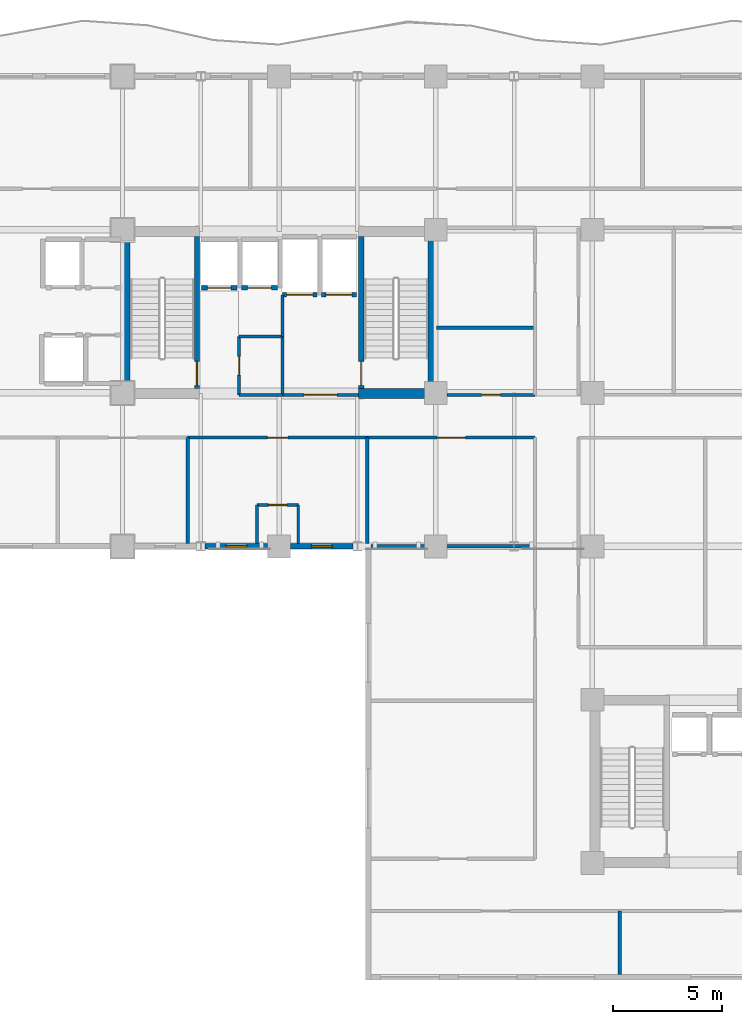
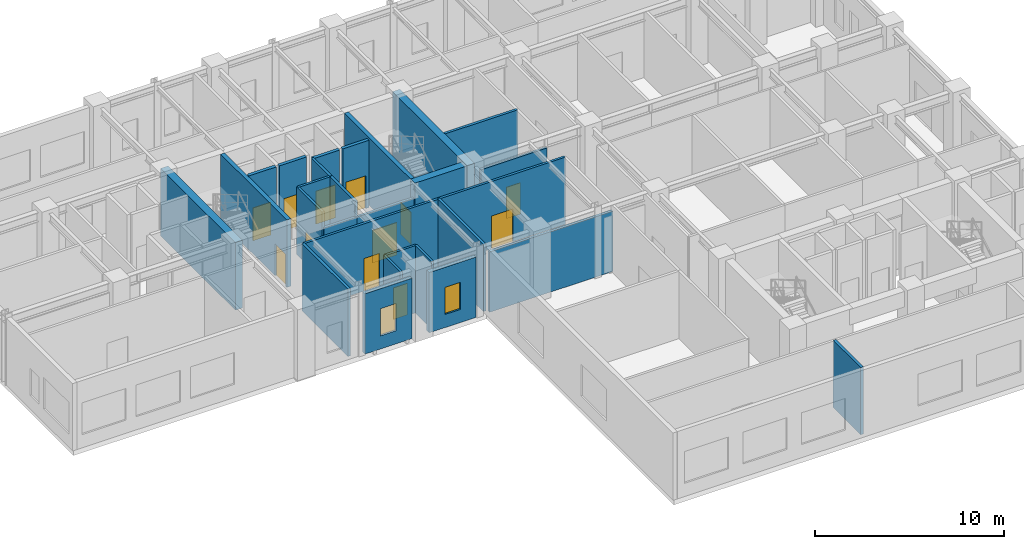
# One storey, part 5 of 14: 28 walls, 12 doors, 2 windows, 14 openings.
"""IFC4 building model written with IfcOpenShell, lengths in metres."""

from ifc_helpers import new_model, si_unit, direction, frame, frame_2d, origin, place, context, subcontext, project, spatial, rectangle, extrude, material, layer, layer_set, type_object, element, fill, save


model = new_model("IFC4")

# Units and contexts
model_context = context("Model", 3, precision=1e-05, world=origin(), true_north=direction((0.0, 1.0)))
body_context = subcontext(model_context, "Body", "Model", "MODEL_VIEW")
ifc_project = project(units=[si_unit("LENGTHUNIT", "METRE"), si_unit("AREAUNIT", "SQUARE_METRE"), si_unit("VOLUMEUNIT", "CUBIC_METRE"), si_unit("PLANEANGLEUNIT", "RADIAN"), si_unit("MASSUNIT", "GRAM", prefix="KILO")], contexts=[model_context])

# Site, building, storey
site_placement = place(None, origin())
site = spatial("IfcSite", under=ifc_project, at=site_placement, CompositionType="ELEMENT")
building_placement = place(site_placement, origin())
building = spatial("IfcBuilding", under=site, at=building_placement, Name="Kaliganga Portal Commons", CompositionType="ELEMENT")
storey_placement = place(building_placement, frame((0.0, 0.0, 135.60009765625)))
storey = spatial("IfcBuildingStorey", under=building, at=storey_placement, Name="L34", CompositionType="ELEMENT", Elevation=135.60009765625)

# Walls
ifc_material_1 = material(Name="Concrete C60/75", Category="concrete")
ifc_layer_1 = layer(ifc_material_1, 0.449951171875)
ifc_layer_set_1 = layer_set([ifc_layer_1], Name="Concrete C60/75")
wall_type_1 = type_object("IfcWallType", Name="WL-CORE-450", PredefinedType="SHEAR", material=ifc_layer_set_1)
for number, where, z_axis, x_axis, name in (
    (1, (14.52490234375, 28.39990234375, 0.0), (0.0, 0.0, 1.0), (0.0, 1.0, 0.0), "Core A West Shear Wall L34"),
    (2, (28.675048828125, 28.39990234375, 0.0), (0.0, 0.0, 1.0), (0.0, 1.0, 0.0), "Core A East Shear Wall L34"),
):
    element("IfcWall", number, at=place(storey_placement, frame(where, z_axis=z_axis, x_axis=x_axis)), inside=storey, type_object=wall_type_1, Name=name, PredefinedType="SHEAR", context=body_context, shape_type="SweptSolid", body=[
        extrude(rectangle(XDim=7.900146484375, YDim=0.449951171875, at=frame_2d((3.9501953125, 0.0))), origin(), (0.0, 0.0, 1.0), 4.35986328125),
    ])
wall_1_placement = place(storey_placement, frame((25.25, 28.625, 0.0), z_axis=(0.0, 0.0, 1.0), x_axis=(1.0, 0.0, 0.0)))
element("IfcWall", 3, at=wall_1_placement, inside=storey, type_object=wall_type_1, Name="Core A S-East Shear Wall L34", PredefinedType="SHEAR", context=body_context, shape_type="SweptSolid", body=[
    extrude(rectangle(XDim=3.199951171875, YDim=0.449951171875, at=frame_2d((1.60009765625, 0.0))), origin(), (0.0, 0.0, 1.0), 4.35986328125),
])

# Wall, opening, window
ifc_material_2 = material(Name="Insulated Aluminium-Clad Spandrel Assembly", Category="aluminium")
ifc_layer_2 = layer(ifc_material_2, 0.260009765625)
ifc_layer_set_2 = layer_set([ifc_layer_2], Name="Insulated Aluminium-Clad Spandrel Assembly")
wall_type_2 = type_object("IfcWallType", Name="WL-EXT-SPAND-260", PredefinedType="STANDARD", material=ifc_layer_set_2)
wall_2_placement = place(storey_placement, frame((21.073974609375, 21.60009765625, 0.0), z_axis=(0.0, 0.0, 1.0), x_axis=(-1.0, 0.0, 0.0)))
wall_2 = element("IfcWall", 4, at=wall_2_placement, inside=storey, type_object=wall_type_2, Name="Exterior Envelope Wall L34 P1-E04-S3", PredefinedType="STANDARD", context=body_context, shape_type="SweptSolid", body=[
    extrude(rectangle(XDim=2.87109375, YDim=0.260009765625, at=frame_2d((1.435546875, 0.0))), origin(), (0.0, 0.0, 1.0), 3.889892578125),
])
opening_1_placement = place(wall_2_placement, frame((0.96044921875, 0.0, 0.85009765625)))
opening_1 = element("IfcOpeningElement", 5, at=opening_1_placement, cuts=wall_2, Name="Opening W-04", PredefinedType="OPENING", context=body_context, shape_type="SweptSolid", body=[
    extrude(rectangle(XDim=0.949951171875, YDim=1.75, at=frame_2d((0.47509765625, 0.875))), frame((0.0, 0.14013671875, 0.0), z_axis=(0.0, -1.0, 0.0), x_axis=(1.0, 0.0, 0.0)), (0.0, 0.0, 1.0), 0.280029296875),
])
ifc_material_3 = material(Name="Thermally Broken Aluminium and Low-E Double Glazing", Category="aluminium")
window_type = type_object("IfcWindowType", Name="WIN-NARROW-950", PartitioningType="SINGLE_PANEL", PredefinedType="WINDOW", material=ifc_material_3)
window_1_placement = place(opening_1_placement, origin())
window_1 = element("IfcWindow", 6, at=window_1_placement, inside=storey, type_object=window_type, Name="Facade Window L34-P1E04S3-00", OverallHeight=1.75, OverallWidth=0.949951171875, PartitioningType="SINGLE_PANEL", PredefinedType="WINDOW", context=body_context, shape_type="SweptSolid", body=[
    extrude(rectangle(XDim=0.949951171875, YDim=1.75, at=frame_2d((0.47509765625, 0.875))), frame((0.0, 0.030029296875, 0.0), z_axis=(0.0, -1.0, 0.0), x_axis=(1.0, 0.0, 0.0)), (0.0, 0.0, 1.0), 0.06005859375),
])
fill(opening_1, window_1)

wall_3_placement = place(storey_placement, frame((24.9970703125, 21.60009765625, 0.0), z_axis=(0.0, 0.0, 1.0), x_axis=(-1.0, 0.0, 0.0)))
wall_3 = element("IfcWall", 7, at=wall_3_placement, inside=storey, type_object=wall_type_2, Name="Exterior Envelope Wall L34 P1-E04-S4", PredefinedType="STANDARD", context=body_context, shape_type="SweptSolid", body=[
    extrude(rectangle(XDim=2.87109375, YDim=0.260009765625, at=frame_2d((1.435546875, 0.0))), origin(), (0.0, 0.0, 1.0), 3.889892578125),
])
opening_2_placement = place(wall_3_placement, frame((0.96044921875, 0.0, 0.85009765625)))
opening_2 = element("IfcOpeningElement", 8, at=opening_2_placement, cuts=wall_3, Name="Opening W-04", PredefinedType="OPENING", context=body_context, shape_type="SweptSolid", body=[
    extrude(rectangle(XDim=0.949951171875, YDim=1.75, at=frame_2d((0.47509765625, 0.875))), frame((0.0, 0.14013671875, 0.0), z_axis=(0.0, -1.0, 0.0), x_axis=(1.0, 0.0, 0.0)), (0.0, 0.0, 1.0), 0.280029296875),
])
window_2_placement = place(opening_2_placement, origin())
window_2 = element("IfcWindow", 9, at=window_2_placement, inside=storey, type_object=window_type, Name="Facade Window L34-P1E04S4-00", OverallHeight=1.75, OverallWidth=0.949951171875, PartitioningType="SINGLE_PANEL", PredefinedType="WINDOW", context=body_context, shape_type="SweptSolid", body=[
    extrude(rectangle(XDim=0.949951171875, YDim=1.75, at=frame_2d((0.47509765625, 0.875))), frame((0.0, 0.030029296875, 0.0), z_axis=(0.0, -1.0, 0.0), x_axis=(1.0, 0.0, 0.0)), (0.0, 0.0, 1.0), 0.06005859375),
])
fill(opening_2, window_2)

# Wall, opening, door
ifc_material_4 = material(Name="Fire-Rated Gypsum Board on Steel Stud", Category="steel")
ifc_layer_3 = layer(ifc_material_4, 0.14990234375)
ifc_layer_set_3 = layer_set([ifc_layer_3], Name="Fire-Rated Gypsum Board on Steel Stud")
wall_type_3 = type_object("IfcWallType", Name="WL-PART-CORR-150", PredefinedType="PARTITIONING", material=ifc_layer_set_3)
wall_4_placement = place(storey_placement, frame((17.39990234375, 26.60009765625, 0.0), z_axis=(0.0, 0.0, 1.0), x_axis=(1.0, 0.0, 0.0)))
wall_4 = element("IfcWall", 10, at=wall_4_placement, inside=storey, type_object=wall_type_3, Name="Interior Partition L34-011", PredefinedType="PARTITIONING", context=body_context, shape_type="SweptSolid", body=[
    extrude(rectangle(XDim=8.260009765625, YDim=0.14990234375, at=frame_2d((4.1298828125, 0.0))), origin(), (0.0, 0.0, 1.0), 4.33984375),
])
opening_3_placement = place(wall_4_placement, frame((3.655029296875, 0.0, 0.0)))
opening_3 = element("IfcOpeningElement", 11, at=opening_3_placement, cuts=wall_4, Name="Opening UD-01", PredefinedType="OPENING", context=body_context, shape_type="SweptSolid", body=[
    extrude(rectangle(XDim=0.949951171875, YDim=2.10009765625, at=frame_2d((0.47509765625, 1.050048828125))), frame((0.0, 0.0849609375, 0.0), z_axis=(0.0, -1.0, 0.0), x_axis=(1.0, 0.0, 0.0)), (0.0, 0.0, 1.0), 0.169921875),
])
ifc_material_5 = material(Name="Solid-Core Timber Acoustic Fire Door", Category="wood")
door_type_1 = type_object("IfcDoorType", Name="DR-UNIT-950", OperationType="NOTDEFINED", PredefinedType="DOOR", material=ifc_material_5)
door_1_placement = place(opening_3_placement, origin())
door_1 = element("IfcDoor", 12, at=door_1_placement, inside=storey, type_object=door_type_1, Name="Interior Door L34-AS03", OperationType="SINGLE_SWING_LEFT", OverallHeight=2.10009765625, OverallWidth=0.949951171875, PredefinedType="DOOR", context=body_context, shape_type="SweptSolid", body=[
    extrude(rectangle(XDim=0.949951171875, YDim=2.10009765625, at=frame_2d((0.47509765625, 1.050048828125))), frame((0.0, 0.02490234375, 0.0), z_axis=(0.0, -1.0, 0.0), x_axis=(1.0, 0.0, 0.0)), (0.0, 0.0, 1.0), 0.050048828125),
])
fill(opening_3, door_1)

wall_5_placement = place(storey_placement, frame((25.659912109375, 26.60009765625, 0.0), z_axis=(0.0, 0.0, 1.0), x_axis=(1.0, 0.0, 0.0)))
wall_5 = element("IfcWall", 13, at=wall_5_placement, inside=storey, type_object=wall_type_3, Name="Interior Partition L34-016", PredefinedType="PARTITIONING", context=body_context, shape_type="SweptSolid", body=[
    extrude(rectangle(XDim=7.7001953125, YDim=0.14990234375, at=frame_2d((3.85009765625, 0.0))), origin(), (0.0, 0.0, 1.0), 4.33984375),
])
opening_4_placement = place(wall_5_placement, frame((3.199951171875, 0.0, 0.0)))
opening_4 = element("IfcOpeningElement", 14, at=opening_4_placement, cuts=wall_5, Name="Opening RD-03", PredefinedType="OPENING", context=body_context, shape_type="SweptSolid", body=[
    extrude(rectangle(XDim=1.300048828125, YDim=2.1201171875, at=frame_2d((0.64990234375, 1.06005859375))), frame((0.0, 0.0849609375, 0.0), z_axis=(0.0, -1.0, 0.0), x_axis=(1.0, 0.0, 0.0)), (0.0, 0.0, 1.0), 0.169921875),
])
ifc_material_6 = material(Name="Glazed Timber Seminar Vision Door", Category="wood")
door_type_2 = type_object("IfcDoorType", Name="DR-STUDY-1300", OperationType="DOUBLE_DOOR_SINGLE_SWING", PredefinedType="DOOR", material=ifc_material_6)
door_2_placement = place(opening_4_placement, origin())
door_2 = element("IfcDoor", 15, at=door_2_placement, inside=storey, type_object=door_type_2, Name="Interior Door L34-AS04", OperationType="DOUBLE_DOOR_SINGLE_SWING", OverallHeight=2.1201171875, OverallWidth=1.300048828125, PredefinedType="DOOR", context=body_context, shape_type="SweptSolid", body=[
    extrude(rectangle(XDim=1.300048828125, YDim=2.1201171875, at=frame_2d((0.64990234375, 1.06005859375))), frame((0.0, 0.02490234375, 0.0), z_axis=(0.0, -1.0, 0.0), x_axis=(1.0, 0.0, 0.0)), (0.0, 0.0, 1.0), 0.050048828125),
])
fill(opening_4, door_2)

wall_6_placement = place(storey_placement, frame((29.324951171875, 28.56005859375, 0.0), z_axis=(0.0, 0.0, 1.0), x_axis=(1.0, 0.0, 0.0)))
wall_6 = element("IfcWall", 16, at=wall_6_placement, inside=storey, type_object=wall_type_3, Name="Interior Partition L34-030", PredefinedType="PARTITIONING", context=body_context, shape_type="SweptSolid", body=[
    extrude(rectangle(XDim=4.03515625, YDim=0.14990234375, at=frame_2d((2.017578125, 0.0))), origin(), (0.0, 0.0, 1.0), 3.739990234375),
])
opening_5_placement = place(wall_6_placement, frame((1.58740234375, 0.0, 0.0)))
opening_5 = element("IfcOpeningElement", 17, at=opening_5_placement, cuts=wall_6, Name="Opening WD-02", PredefinedType="OPENING", context=body_context, shape_type="SweptSolid", body=[
    extrude(rectangle(XDim=0.860107421875, YDim=2.02001953125, at=frame_2d((0.43017578125, 1.010009765625))), frame((0.0, 0.0849609375, 0.0), z_axis=(0.0, -1.0, 0.0), x_axis=(1.0, 0.0, 0.0)), (0.0, 0.0, 1.0), 0.169921875),
])
ifc_material_7 = material(Name="Fire-Rated Utility Closet Door", Category="wood")
door_type_3 = type_object("IfcDoorType", Name="DR-STORE-800", OperationType="NOTDEFINED", PredefinedType="DOOR", material=ifc_material_7)
door_3_placement = place(opening_5_placement, origin())
door_3 = element("IfcDoor", 18, at=door_3_placement, inside=storey, type_object=door_type_3, Name="Interior Door L34-CSRV_A1", OperationType="SINGLE_SWING_RIGHT", OverallHeight=2.02001953125, OverallWidth=0.860107421875, PredefinedType="DOOR", context=body_context, shape_type="SweptSolid", body=[
    extrude(rectangle(XDim=0.860107421875, YDim=2.02001953125, at=frame_2d((0.43017578125, 1.010009765625))), frame((0.0, 0.02490234375, 0.0), z_axis=(0.0, -1.0, 0.0), x_axis=(1.0, 0.0, 0.0)), (0.0, 0.0, 1.0), 0.050048828125),
])
fill(opening_5, door_3)

wall_7_placement = place(storey_placement, frame((19.760009765625, 28.56005859375, 0.0), z_axis=(0.0, 0.0, 1.0), x_axis=(0.0, 1.0, 0.0)))
wall_7 = element("IfcWall", 19, at=wall_7_placement, inside=storey, type_object=wall_type_3, Name="Interior Partition L34-040", PredefinedType="PARTITIONING", context=body_context, shape_type="SweptSolid", body=[
    extrude(rectangle(XDim=2.679931640625, YDim=0.14990234375, at=frame_2d((1.33984375, 0.0))), origin(), (0.0, 0.0, 1.0), 4.33984375),
])
opening_6_placement = place(wall_7_placement, frame((0.909912109375, 0.0, 0.0)))
opening_6 = element("IfcOpeningElement", 20, at=opening_6_placement, cuts=wall_7, Name="Opening WD-02", PredefinedType="OPENING", context=body_context, shape_type="SweptSolid", body=[
    extrude(rectangle(XDim=0.860107421875, YDim=2.02001953125, at=frame_2d((0.43017578125, 1.010009765625))), frame((0.0, 0.0849609375, 0.0), z_axis=(0.0, -1.0, 0.0), x_axis=(1.0, 0.0, 0.0)), (0.0, 0.0, 1.0), 0.169921875),
])
door_4_placement = place(opening_6_placement, origin())
door_4 = element("IfcDoor", 21, at=door_4_placement, inside=storey, type_object=door_type_3, Name="Interior Door L34-CIN_A1", OperationType="SINGLE_SWING_LEFT", OverallHeight=2.02001953125, OverallWidth=0.860107421875, PredefinedType="DOOR", context=body_context, shape_type="SweptSolid", body=[
    extrude(rectangle(XDim=0.860107421875, YDim=2.02001953125, at=frame_2d((0.43017578125, 1.010009765625))), frame((0.0, 0.02490234375, 0.0), z_axis=(0.0, -1.0, 0.0), x_axis=(1.0, 0.0, 0.0)), (0.0, 0.0, 1.0), 0.050048828125),
])
fill(opening_6, door_4)

# Walls
wall_8_placement = place(storey_placement, frame((21.760009765625, 28.56005859375, 0.0), z_axis=(0.0, 0.0, 1.0), x_axis=(0.0, 1.0, 0.0)))
element("IfcWall", 22, at=wall_8_placement, inside=storey, type_object=wall_type_3, Name="Interior Partition L34-041", PredefinedType="PARTITIONING", context=body_context, shape_type="SweptSolid", body=[
    extrude(rectangle(XDim=2.679931640625, YDim=0.14990234375, at=frame_2d((1.33984375, 0.0))), origin(), (0.0, 0.0, 1.0), 4.33984375),
])
wall_9_placement = place(storey_placement, frame((19.760009765625, 28.56005859375, 0.0), z_axis=(0.0, 0.0, 1.0), x_axis=(1.0, 0.0, 0.0)))
element("IfcWall", 23, at=wall_9_placement, inside=storey, type_object=wall_type_3, Name="Interior Partition L34-042", PredefinedType="PARTITIONING", context=body_context, shape_type="SweptSolid", body=[
    extrude(rectangle(XDim=2.0, YDim=0.14990234375, at=frame_2d((1.0, 0.0))), origin(), (0.0, 0.0, 1.0), 3.33984375),
])
wall_10_placement = place(storey_placement, frame((19.760009765625, 31.239990234375, 0.0), z_axis=(0.0, 0.0, 1.0), x_axis=(1.0, 0.0, 0.0)))
element("IfcWall", 24, at=wall_10_placement, inside=storey, type_object=wall_type_3, Name="Interior Partition L34-043", PredefinedType="PARTITIONING", context=body_context, shape_type="SweptSolid", body=[
    extrude(rectangle(XDim=2.0, YDim=0.14990234375, at=frame_2d((1.0, 0.0))), origin(), (0.0, 0.0, 1.0), 4.33984375),
])

# Wall, opening, door
wall_11_placement = place(storey_placement, frame((21.760009765625, 28.56005859375, 0.0), z_axis=(0.0, 0.0, 1.0), x_axis=(1.0, 0.0, 0.0)))
wall_11 = element("IfcWall", 25, at=wall_11_placement, inside=storey, type_object=wall_type_3, Name="Interior Partition L34-070", PredefinedType="PARTITIONING", context=body_context, shape_type="SweptSolid", body=[
    extrude(rectangle(XDim=3.47998046875, YDim=0.14990234375, at=frame_2d((1.739990234375, 0.0))), origin(), (0.0, 0.0, 1.0), 3.33984375),
])
opening_7_placement = place(wall_11_placement, frame((0.989990234375, 0.0, 0.0)))
opening_7 = element("IfcOpeningElement", 26, at=opening_7_placement, cuts=wall_11, Name="Opening FD-01", PredefinedType="OPENING", context=body_context, shape_type="SweptSolid", body=[
    extrude(rectangle(XDim=1.5, YDim=2.10009765625, at=frame_2d((0.75, 1.050048828125))), frame((0.0, 0.0849609375, 0.0), z_axis=(0.0, -1.0, 0.0), x_axis=(1.0, 0.0, 0.0)), (0.0, 0.0, 1.0), 0.169921875),
])
ifc_material_8 = material(Name="Fire-Rated Hardwood and Georgian-Wired Vision Panel", Category="wood")
door_type_4 = type_object("IfcDoorType", Name="DR-LOBBY-1500", OperationType="DOUBLE_DOOR_SINGLE_SWING", PredefinedType="DOOR", material=ifc_material_8)
door_5_placement = place(opening_7_placement, origin())
door_5 = element("IfcDoor", 27, at=door_5_placement, inside=storey, type_object=door_type_4, Name="Interior Door L34-FFLOB_A", OperationType="DOUBLE_DOOR_SINGLE_SWING", OverallHeight=2.10009765625, OverallWidth=1.5, PredefinedType="DOOR", context=body_context, shape_type="SweptSolid", body=[
    extrude(rectangle(XDim=1.5, YDim=2.10009765625, at=frame_2d((0.75, 1.050048828125))), frame((0.0, 0.02490234375, 0.0), z_axis=(0.0, -1.0, 0.0), x_axis=(1.0, 0.0, 0.0)), (0.0, 0.0, 1.0), 0.050048828125),
])
fill(opening_7, door_5)

# Walls
wall_12_placement = place(storey_placement, frame((21.760009765625, 31.239990234375, 0.0), z_axis=(0.0, 0.0, 1.0), x_axis=(0.0, 1.0, 0.0)))
element("IfcWall", 28, at=wall_12_placement, inside=storey, type_object=wall_type_3, Name="Interior Partition L34-074", PredefinedType="PARTITIONING", context=body_context, shape_type="SweptSolid", body=[
    extrude(rectangle(XDim=1.919921875, YDim=0.14990234375, at=frame_2d((0.9599609375, 0.0))), origin(), (0.0, 0.0, 1.0), 4.33984375),
])
ifc_material_9 = material(Name="Twin-Stud Acoustic Gypsum Partition", Category="gypsum")
ifc_layer_4 = layer(ifc_material_9, 0.1650390625)
ifc_layer_set_4 = layer_set([ifc_layer_4], Name="Twin-Stud Acoustic Gypsum Partition")
wall_type_4 = type_object("IfcWallType", Name="WL-PART-UNIT-165", PredefinedType="PARTITIONING", material=ifc_layer_set_4)
wall_13_placement = place(storey_placement, frame((25.83203125, 21.60009765625, 0.0), z_axis=(0.0, 0.0, 1.0), x_axis=(1.0, 0.0, 0.0)))
element("IfcWall", 29, at=wall_13_placement, inside=storey, type_object=wall_type_4, Name="Interior Partition L34-053", PredefinedType="PARTITIONING", context=body_context, shape_type="SweptSolid", body=[
    extrude(rectangle(XDim=7.528076171875, YDim=0.1650390625, at=frame_2d((3.76416015625, 0.0))), origin(), (0.0, 0.0, 1.0), 3.889892578125),
])
for number, where, z_axis, x_axis, name in (
    (30, (17.39990234375, 21.73193359375, 0.0), (0.0, 0.0, 1.0), (0.0, 1.0, 0.0), "Interior Partition L34-063"),
    (31, (25.659912109375, 21.73193359375, 0.0), (0.0, 0.0, 1.0), (0.0, 1.0, 0.0), "Interior Partition L34-064"),
):
    element("IfcWall", number, at=place(storey_placement, frame(where, z_axis=z_axis, x_axis=x_axis)), inside=storey, type_object=wall_type_4, Name=name, PredefinedType="PARTITIONING", context=body_context, shape_type="SweptSolid", body=[
        extrude(rectangle(XDim=4.8681640625, YDim=0.1650390625, at=frame_2d((2.43408203125, 0.0))), origin(), (0.0, 0.0, 1.0), 4.33984375),
    ])
wall_14_placement = place(storey_placement, frame((28.840087890625, 31.639892578125, 0.0), z_axis=(0.0, 0.0, 1.0), x_axis=(1.0, 0.0, 0.0)))
element("IfcWall", 32, at=wall_14_placement, inside=storey, type_object=wall_type_4, Name="Interior Partition L34-066", PredefinedType="PARTITIONING", context=body_context, shape_type="SweptSolid", body=[
    extrude(rectangle(XDim=4.52001953125, YDim=0.1650390625, at=frame_2d((2.260009765625, 0.0))), origin(), (0.0, 0.0, 1.0), 4.33984375),
])
wall_15_placement = place(storey_placement, frame((37.260009765625, 1.931884765625, 0.0), z_axis=(0.0, 0.0, 1.0), x_axis=(0.0, 1.0, 0.0)))
element("IfcWall", 33, at=wall_15_placement, inside=storey, type_object=wall_type_4, Name="Interior Partition L34-072", PredefinedType="PARTITIONING", context=body_context, shape_type="SweptSolid", body=[
    extrude(rectangle(XDim=2.908203125, YDim=0.1650390625, at=frame_2d((1.4541015625, 0.0))), origin(), (0.0, 0.0, 1.0), 4.33984375),
])

# Wall, opening, door
ifc_material_10 = material(Name="Cement-Board Wet-Room Partition", Category="gypsum")
ifc_layer_5 = layer(ifc_material_10, 0.135009765625)
ifc_layer_set_5 = layer_set([ifc_layer_5], Name="Cement-Board Wet-Room Partition")
wall_type_5 = type_object("IfcWallType", Name="WL-PART-WET-135", PredefinedType="PARTITIONING", material=ifc_layer_set_5)
wall_16_placement = place(storey_placement, frame((20.580078125, 23.5, 0.0), z_axis=(0.0, 0.0, 1.0), x_axis=(1.0, 0.0, 0.0)))
wall_16 = element("IfcWall", 34, at=wall_16_placement, inside=storey, type_object=wall_type_5, Name="Interior Partition L34-001", PredefinedType="PARTITIONING", context=body_context, shape_type="SweptSolid", body=[
    extrude(rectangle(XDim=1.89990234375, YDim=0.135009765625, at=frame_2d((0.949951171875, 0.0))), origin(), (0.0, 0.0, 1.0), 4.33984375),
])
opening_8_placement = place(wall_16_placement, frame((0.52490234375, 0.0, 0.0)))
opening_8 = element("IfcOpeningElement", 35, at=opening_8_placement, cuts=wall_16, Name="Opening WD-01", PredefinedType="OPENING", context=body_context, shape_type="SweptSolid", body=[
    extrude(rectangle(XDim=0.85009765625, YDim=2.0400390625, at=frame_2d((0.425048828125, 1.02001953125))), frame((0.0, 0.07763671875, 0.0), z_axis=(0.0, -1.0, 0.0), x_axis=(1.0, 0.0, 0.0)), (0.0, 0.0, 1.0), 0.155029296875),
])
ifc_material_11 = material(Name="Moisture-Resistant Laminate Timber Door", Category="wood")
door_type_5 = type_object("IfcDoorType", Name="DR-WET-850", OperationType="NOTDEFINED", PredefinedType="DOOR", material=ifc_material_11)
door_6_placement = place(opening_8_placement, origin())
door_6 = element("IfcDoor", 36, at=door_6_placement, inside=storey, type_object=door_type_5, Name="Interior Door L34-AS03E", OperationType="SINGLE_SWING_LEFT", OverallHeight=2.0400390625, OverallWidth=0.85009765625, PredefinedType="DOOR", context=body_context, shape_type="SweptSolid", body=[
    extrude(rectangle(XDim=0.85009765625, YDim=2.0400390625, at=frame_2d((0.425048828125, 1.02001953125))), frame((0.0, 0.02490234375, 0.0), z_axis=(0.0, -1.0, 0.0), x_axis=(1.0, 0.0, 0.0)), (0.0, 0.0, 1.0), 0.050048828125),
])
fill(opening_8, door_6)

# Walls
for number, where, z_axis, x_axis, name in (
    (37, (20.580078125, 21.73193359375, 0.0), (0.0, 0.0, 1.0), (0.0, 1.0, 0.0), "Interior Partition L34-002"),
    (38, (22.47998046875, 21.73193359375, 0.0), (0.0, 0.0, 1.0), (0.0, 1.0, 0.0), "Interior Partition L34-003"),
):
    element("IfcWall", number, at=place(storey_placement, frame(where, z_axis=z_axis, x_axis=x_axis)), inside=storey, type_object=wall_type_5, Name=name, PredefinedType="PARTITIONING", context=body_context, shape_type="SweptSolid", body=[
        extrude(rectangle(XDim=1.76806640625, YDim=0.135009765625, at=frame_2d((0.884033203125, 0.0))), origin(), (0.0, 0.0, 1.0), 4.33984375),
    ])

# Wall, opening, door
ifc_material_12 = material(Name="Fire-Rated Shaftwall Masonry Assembly", Category="masonry")
ifc_layer_6 = layer(ifc_material_12, 0.199951171875)
ifc_layer_set_6 = layer_set([ifc_layer_6], Name="Fire-Rated Shaftwall Masonry Assembly")
wall_type_6 = type_object("IfcWallType", Name="WL-SHAFT-200", PredefinedType="PARTITIONING", material=ifc_layer_set_6)
wall_17_placement = place(storey_placement, frame((18.02490234375, 33.485107421875, 0.0), z_axis=(0.0, 0.0, 1.0), x_axis=(1.0, 0.0, 0.0)))
wall_17 = element("IfcWall", 39, at=wall_17_placement, inside=storey, type_object=wall_type_6, Name="Lift PL-A1 Hoistway Shaft Wall L34-S", PredefinedType="PARTITIONING", context=body_context, shape_type="SweptSolid", body=[
    extrude(rectangle(XDim=1.650146484375, YDim=0.199951171875, at=frame_2d((0.8251953125, 0.0))), origin(), (0.0, 0.0, 1.0), 4.33984375),
])
opening_9_placement = place(wall_17_placement, frame((0.27490234375, 0.0, 0.0)))
opening_9 = element("IfcOpeningElement", 40, at=opening_9_placement, cuts=wall_17, Name="Opening LD-01", PredefinedType="OPENING", context=body_context, shape_type="SweptSolid", body=[
    extrude(rectangle(XDim=1.10009765625, YDim=2.1201171875, at=frame_2d((0.550048828125, 1.06005859375))), frame((0.0, 0.10986328125, 0.0), z_axis=(0.0, -1.0, 0.0), x_axis=(1.0, 0.0, 0.0)), (0.0, 0.0, 1.0), 0.219970703125),
])
ifc_material_13 = material(Name="Brushed Stainless Steel 316 Lift Landing Door", Category="steel")
door_type_6 = type_object("IfcDoorType", Name="DR-LIFT-1100", OperationType="SLIDING_TO_LEFT", PredefinedType="DOOR", material=ifc_material_13)
door_7_placement = place(opening_9_placement, origin())
door_7 = element("IfcDoor", 41, at=door_7_placement, inside=storey, type_object=door_type_6, Name="Lift PL-A1 Sliding Landing Door L34", OperationType="SLIDING_TO_LEFT", OverallHeight=2.1201171875, OverallWidth=1.10009765625, PredefinedType="DOOR", context=body_context, shape_type="SweptSolid", body=[
    extrude(rectangle(XDim=1.10009765625, YDim=2.1201171875, at=frame_2d((0.550048828125, 1.06005859375))), frame((0.0, 0.02490234375, 0.0), z_axis=(0.0, -1.0, 0.0), x_axis=(1.0, 0.0, 0.0)), (0.0, 0.0, 1.0), 0.050048828125),
])
fill(opening_9, door_7)

wall_18_placement = place(storey_placement, frame((19.875, 33.485107421875, 0.0), z_axis=(0.0, 0.0, 1.0), x_axis=(1.0, 0.0, 0.0)))
wall_18 = element("IfcWall", 42, at=wall_18_placement, inside=storey, type_object=wall_type_6, Name="Lift PL-A2 Hoistway Shaft Wall L34-S", PredefinedType="PARTITIONING", context=body_context, shape_type="SweptSolid", body=[
    extrude(rectangle(XDim=1.64990234375, YDim=0.199951171875, at=frame_2d((0.824951171875, 0.0))), origin(), (0.0, 0.0, 1.0), 4.33984375),
])
opening_10_placement = place(wall_18_placement, frame((0.27490234375, 0.0, 0.0)))
opening_10 = element("IfcOpeningElement", 43, at=opening_10_placement, cuts=wall_18, Name="Opening LD-01", PredefinedType="OPENING", context=body_context, shape_type="SweptSolid", body=[
    extrude(rectangle(XDim=1.10009765625, YDim=2.1201171875, at=frame_2d((0.550048828125, 1.06005859375))), frame((0.0, 0.10986328125, 0.0), z_axis=(0.0, -1.0, 0.0), x_axis=(1.0, 0.0, 0.0)), (0.0, 0.0, 1.0), 0.219970703125),
])
door_8_placement = place(opening_10_placement, origin())
door_8 = element("IfcDoor", 44, at=door_8_placement, inside=storey, type_object=door_type_6, Name="Lift PL-A2 Sliding Landing Door L34", OperationType="SLIDING_TO_LEFT", OverallHeight=2.1201171875, OverallWidth=1.10009765625, PredefinedType="DOOR", context=body_context, shape_type="SweptSolid", body=[
    extrude(rectangle(XDim=1.10009765625, YDim=2.1201171875, at=frame_2d((0.550048828125, 1.06005859375))), frame((0.0, 0.02490234375, 0.0), z_axis=(0.0, -1.0, 0.0), x_axis=(1.0, 0.0, 0.0)), (0.0, 0.0, 1.0), 0.050048828125),
])
fill(opening_10, door_8)

wall_19_placement = place(storey_placement, frame((21.75, 33.159912109375, 0.0), z_axis=(0.0, 0.0, 1.0), x_axis=(1.0, 0.0, 0.0)))
wall_19 = element("IfcWall", 45, at=wall_19_placement, inside=storey, type_object=wall_type_6, Name="Lift FFL-1 Hoistway Shaft Wall L34-S", PredefinedType="PARTITIONING", context=body_context, shape_type="SweptSolid", body=[
    extrude(rectangle(XDim=1.60009765625, YDim=0.199951171875, at=frame_2d((0.800048828125, 0.0))), origin(), (0.0, 0.0, 1.0), 4.33984375),
])
opening_11_placement = place(wall_19_placement, frame((0.199951171875, 0.0, 0.0)))
opening_11 = element("IfcOpeningElement", 46, at=opening_11_placement, cuts=wall_19, Name="Opening LD-02", PredefinedType="OPENING", context=body_context, shape_type="SweptSolid", body=[
    extrude(rectangle(XDim=1.199951171875, YDim=2.1201171875, at=frame_2d((0.60009765625, 1.06005859375))), frame((0.0, 0.10986328125, 0.0), z_axis=(0.0, -1.0, 0.0), x_axis=(1.0, 0.0, 0.0)), (0.0, 0.0, 1.0), 0.219970703125),
])
ifc_material_14 = material(Name="Brushed Stainless Steel 316 Stretcher Lift Landing Door", Category="steel")
door_type_7 = type_object("IfcDoorType", Name="DR-LIFT-1200", OperationType="SLIDING_TO_RIGHT", PredefinedType="DOOR", material=ifc_material_14)
door_9_placement = place(opening_11_placement, origin())
door_9 = element("IfcDoor", 47, at=door_9_placement, inside=storey, type_object=door_type_7, Name="Lift FFL-1 Sliding Landing Door L34", OperationType="SLIDING_TO_RIGHT", OverallHeight=2.1201171875, OverallWidth=1.199951171875, PredefinedType="DOOR", context=body_context, shape_type="SweptSolid", body=[
    extrude(rectangle(XDim=1.199951171875, YDim=2.1201171875, at=frame_2d((0.60009765625, 1.06005859375))), frame((0.0, 0.02490234375, 0.0), z_axis=(0.0, -1.0, 0.0), x_axis=(1.0, 0.0, 0.0)), (0.0, 0.0, 1.0), 0.050048828125),
])
fill(opening_11, door_9)

wall_20_placement = place(storey_placement, frame((23.550048828125, 33.159912109375, 0.0), z_axis=(0.0, 0.0, 1.0), x_axis=(1.0, 0.0, 0.0)))
wall_20 = element("IfcWall", 48, at=wall_20_placement, inside=storey, type_object=wall_type_6, Name="Lift FFL-2 Hoistway Shaft Wall L34-S", PredefinedType="PARTITIONING", context=body_context, shape_type="SweptSolid", body=[
    extrude(rectangle(XDim=1.599853515625, YDim=0.199951171875, at=frame_2d((0.7998046875, 0.0))), origin(), (0.0, 0.0, 1.0), 4.33984375),
])
opening_12_placement = place(wall_20_placement, frame((0.199951171875, 0.0, 0.0)))
opening_12 = element("IfcOpeningElement", 49, at=opening_12_placement, cuts=wall_20, Name="Opening LD-02", PredefinedType="OPENING", context=body_context, shape_type="SweptSolid", body=[
    extrude(rectangle(XDim=1.199951171875, YDim=2.1201171875, at=frame_2d((0.60009765625, 1.06005859375))), frame((0.0, 0.10986328125, 0.0), z_axis=(0.0, -1.0, 0.0), x_axis=(1.0, 0.0, 0.0)), (0.0, 0.0, 1.0), 0.219970703125),
])
door_10_placement = place(opening_12_placement, origin())
door_10 = element("IfcDoor", 50, at=door_10_placement, inside=storey, type_object=door_type_7, Name="Lift FFL-2 Sliding Landing Door L34", OperationType="SLIDING_TO_RIGHT", OverallHeight=2.1201171875, OverallWidth=1.199951171875, PredefinedType="DOOR", context=body_context, shape_type="SweptSolid", body=[
    extrude(rectangle(XDim=1.199951171875, YDim=2.1201171875, at=frame_2d((0.60009765625, 1.06005859375))), frame((0.0, 0.02490234375, 0.0), z_axis=(0.0, -1.0, 0.0), x_axis=(1.0, 0.0, 0.0)), (0.0, 0.0, 1.0), 0.050048828125),
])
fill(opening_12, door_10)

ifc_material_15 = material(Name="Concrete C50/60", Category="concrete")
ifc_layer_7 = layer(ifc_material_15, 0.25)
ifc_layer_set_7 = layer_set([ifc_layer_7], Name="Concrete C50/60")
wall_type_7 = type_object("IfcWallType", Name="WL-STAIR-250", PredefinedType="SHEAR", material=ifc_layer_set_7)
wall_21_placement = place(storey_placement, frame((17.824951171875, 28.85009765625, 0.0), z_axis=(0.0, 0.0, 1.0), x_axis=(0.0, 1.0, 0.0)))
wall_21 = element("IfcWall", 51, at=wall_21_placement, inside=storey, type_object=wall_type_7, Name="Stair A1 Enclosure Shear Wall L34", PredefinedType="SHEAR", context=body_context, shape_type="SweptSolid", body=[
    extrude(rectangle(XDim=7.0, YDim=0.25, at=frame_2d((3.5, 0.0))), origin(), (0.0, 0.0, 1.0), 4.35986328125),
])
opening_13_placement = place(wall_21_placement, frame((0.14990234375, 0.0, 0.0)))
opening_13 = element("IfcOpeningElement", 52, at=opening_13_placement, cuts=wall_21, Name="Opening SD-01", PredefinedType="OPENING", context=body_context, shape_type="SweptSolid", body=[
    extrude(rectangle(XDim=1.10009765625, YDim=2.080078125, at=frame_2d((0.550048828125, 1.0400390625))), frame((0.0, 0.135009765625, 0.0), z_axis=(0.0, -1.0, 0.0), x_axis=(1.0, 0.0, 0.0)), (0.0, 0.0, 1.0), 0.27001953125),
])
ifc_material_16 = material(Name="Galvanized Steel Fire Door Leaf and Frame", Category="steel")
door_type_8 = type_object("IfcDoorType", Name="DR-STAIR-1100", OperationType="NOTDEFINED", PredefinedType="DOOR", material=ifc_material_16)
door_11_placement = place(opening_13_placement, origin())
door_11 = element("IfcDoor", 53, at=door_11_placement, inside=storey, type_object=door_type_8, Name="Protected Stair ST-A1 Fire Door L34", OperationType="SINGLE_SWING_RIGHT", OverallHeight=2.080078125, OverallWidth=1.10009765625, PredefinedType="DOOR", context=body_context, shape_type="SweptSolid", body=[
    extrude(rectangle(XDim=1.10009765625, YDim=2.080078125, at=frame_2d((0.550048828125, 1.0400390625))), frame((0.0, 0.02490234375, 0.0), z_axis=(0.0, -1.0, 0.0), x_axis=(1.0, 0.0, 0.0)), (0.0, 0.0, 1.0), 0.050048828125),
])
fill(opening_13, door_11)

wall_22_placement = place(storey_placement, frame((25.375, 28.85009765625, 0.0), z_axis=(0.0, 0.0, 1.0), x_axis=(0.0, 1.0, 0.0)))
wall_22 = element("IfcWall", 54, at=wall_22_placement, inside=storey, type_object=wall_type_7, Name="Stair A2 Enclosure Shear Wall L34", PredefinedType="SHEAR", context=body_context, shape_type="SweptSolid", body=[
    extrude(rectangle(XDim=7.0, YDim=0.25, at=frame_2d((3.5, 0.0))), origin(), (0.0, 0.0, 1.0), 4.35986328125),
])
opening_14_placement = place(wall_22_placement, frame((0.14990234375, 0.0, 0.0)))
opening_14 = element("IfcOpeningElement", 55, at=opening_14_placement, cuts=wall_22, Name="Opening SD-01", PredefinedType="OPENING", context=body_context, shape_type="SweptSolid", body=[
    extrude(rectangle(XDim=1.10009765625, YDim=2.080078125, at=frame_2d((0.550048828125, 1.0400390625))), frame((0.0, 0.135009765625, 0.0), z_axis=(0.0, -1.0, 0.0), x_axis=(1.0, 0.0, 0.0)), (0.0, 0.0, 1.0), 0.27001953125),
])
door_12_placement = place(opening_14_placement, origin())
door_12 = element("IfcDoor", 56, at=door_12_placement, inside=storey, type_object=door_type_8, Name="Protected Stair ST-A2 Fire Door L34", OperationType="SINGLE_SWING_LEFT", OverallHeight=2.080078125, OverallWidth=1.10009765625, PredefinedType="DOOR", context=body_context, shape_type="SweptSolid", body=[
    extrude(rectangle(XDim=1.10009765625, YDim=2.080078125, at=frame_2d((0.550048828125, 1.0400390625))), frame((0.0, 0.02490234375, 0.0), z_axis=(0.0, -1.0, 0.0), x_axis=(1.0, 0.0, 0.0)), (0.0, 0.0, 1.0), 0.050048828125),
])
fill(opening_14, door_12)

save(model, "model.ifc")
